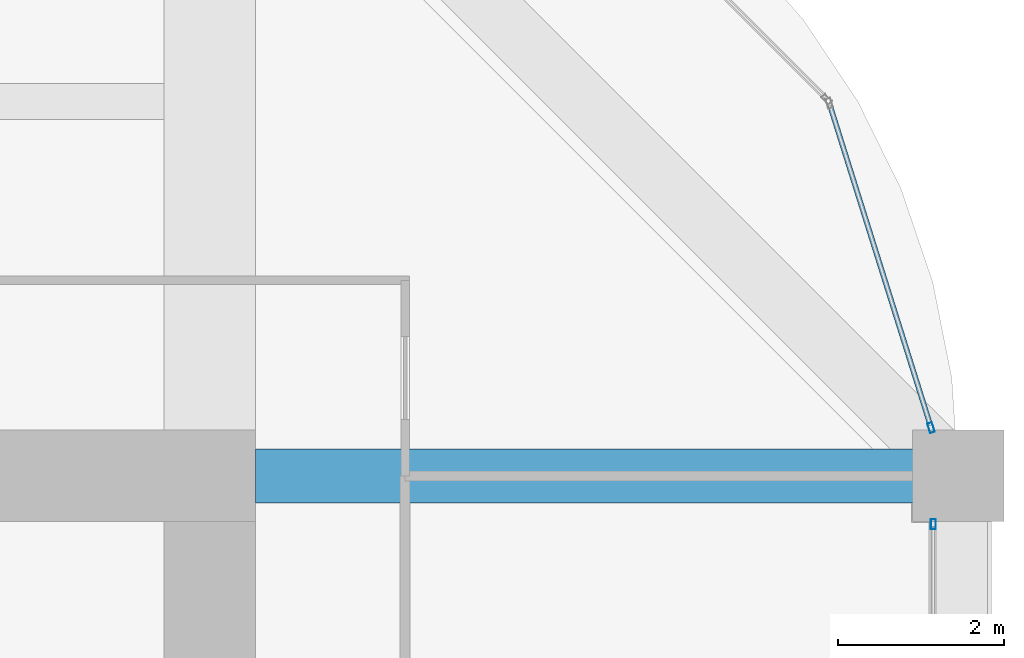
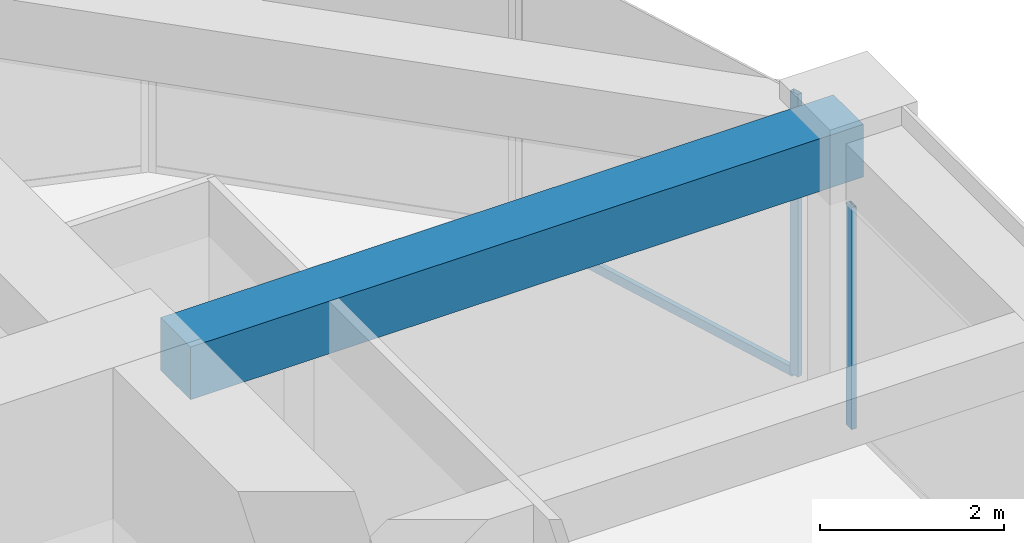
# One storey, part 36 of 44: 3 members, 1 beam, 2 elements without a shape of their own.
"""IFC4 building model written with IfcOpenShell, lengths in metres."""

from ifc_helpers import new_model, si_unit, direction, frame, origin, origin_2d, place, context, subcontext, project, spatial, rectangle, hollow_rectangle, extrude, material, material_profile, profile_set, type_object, element, aggregate, save


model = new_model("IFC4")

# Units and contexts
model_context = context("Model", 3, precision=1e-05, world=origin(), true_north=direction((0.0, 1.0)))
body_context = subcontext(model_context, "Body", "Model", "MODEL_VIEW")
ifc_project = project(units=[si_unit("LENGTHUNIT", "METRE"), si_unit("AREAUNIT", "SQUARE_METRE"), si_unit("VOLUMEUNIT", "CUBIC_METRE"), si_unit("PLANEANGLEUNIT", "RADIAN"), si_unit("MASSUNIT", "GRAM", prefix="KILO")], contexts=[model_context])

# Site, building, storey
site_placement = place(None, origin())
site = spatial("IfcSite", under=ifc_project, at=site_placement, CompositionType="ELEMENT")
building_placement = place(site_placement, origin())
building = spatial("IfcBuilding", under=site, at=building_placement, Name="Zorevar Civic Tower", CompositionType="ELEMENT")
storey_placement = place(building_placement, frame((0.0, 0.0, 275.39990234375)))
storey = spatial("IfcBuildingStorey", under=building, at=storey_placement, Name="L67", CompositionType="ELEMENT", Elevation=275.39990234375)

# Beam
ifc_material_1 = material(Name="Concrete C50/60", Category="concrete")
ifc_material_profile_1 = material_profile(ifc_material_1, rectangle(XDim=0.64990234375, YDim=0.699951171875, at=origin_2d()), Name="RC 650x700")
ifc_profile_set_1 = profile_set([ifc_material_profile_1], Name="Concrete C50/60")
beam_type = type_object("IfcBeamType", Name="Beam RC 650x700", PredefinedType="BEAM", material=ifc_profile_set_1)
beam_placement = place(storey_placement, frame((45.550048828125, 36.0, 3.400146484375), z_axis=(1.0, 0.0, 0.0), x_axis=(0.0, 1.0, 0.0)))
element("IfcBeam", 1, at=beam_placement, inside=storey, type_object=beam_type, Name="Girder L68", PredefinedType="BEAM", context=body_context, shape_type="SweptSolid", body=[
    extrude(rectangle(XDim=0.64990234375, YDim=0.699951171875, at=origin_2d()), origin(), (0.0, 0.0, 1.0), 8.449951171875),
])

# Curtain wall, member
ifc_material_2 = material(Name="Dark grey solar-control glass in black aluminium frame", Category="aluminium")
curtain_wall_type = type_object("IfcCurtainWallType", Name="Curtain wall CW5 top zone", PredefinedType="NOTDEFINED", material=ifc_material_2)
curtain_wall_1_placement = place(storey_placement, origin())
curtain_wall_1 = element("IfcCurtainWall", 2, at=curtain_wall_1_placement, inside=storey, type_object=curtain_wall_type, Name="CW5 L67", PredefinedType="NOTDEFINED")
ifc_material_3 = material(Name="Aluminium, black anodised", Category="aluminium")
ifc_material_profile_2 = material_profile(ifc_material_3, hollow_rectangle(XDim=0.06005859375, YDim=0.1201171875, WallThickness=0.0029296875, at=origin_2d()), Name="AL 120x60x3")
ifc_profile_set_2 = profile_set([ifc_material_profile_2], Name="Aluminium, black anodised")
member_type_1 = type_object("IfcMemberType", Name="CW5 mullion AL 120x60x3", PredefinedType="MULLION", material=ifc_profile_set_2)
member_1_placement = place(storey_placement, frame((53.699951171875, 35.419921875, 0.0), z_axis=(0.0, 0.0, 1.0), x_axis=(-1.0, 0.0, 0.0)))
member_1 = element("IfcMember", 3, at=member_1_placement, type_object=member_type_1, Name="CW5 mullion 3", PredefinedType="MULLION", context=body_context, shape_type="SweptSolid", body=[
    extrude(hollow_rectangle(XDim=0.06005859375, YDim=0.1201171875, WallThickness=0.0029296875, at=origin_2d()), origin(), (0.0, 0.0, 1.0), 2.9501953125),
])
aggregate(curtain_wall_1, [member_1])

# Curtain wall, members
curtain_wall_2_placement = place(storey_placement, origin())
curtain_wall_2 = element("IfcCurtainWall", 4, at=curtain_wall_2_placement, inside=storey, type_object=curtain_wall_type, Name="CW5 L67", PredefinedType="NOTDEFINED")
member_2_placement = place(storey_placement, frame((53.673583984375, 36.57861328125, 0.0), z_axis=(0.0, 0.0, 1.0), x_axis=(-0.954153437674, -0.299317920238, 0.0)))
member_2 = element("IfcMember", 5, at=member_2_placement, type_object=member_type_1, Name="CW5 mullion 1", PredefinedType="MULLION", context=body_context, shape_type="SweptSolid", body=[
    extrude(hollow_rectangle(XDim=0.06005859375, YDim=0.1201171875, WallThickness=0.0029296875, at=origin_2d()), origin(), (0.0, 0.0, 1.0), 3.75),
])
ifc_material_4 = material(Name="Aluminium, black anodised", Category="aluminium")
ifc_material_profile_3 = material_profile(ifc_material_4, hollow_rectangle(XDim=0.06005859375, YDim=0.1201171875, WallThickness=0.0029296875, at=origin_2d()), Name="AL 120x60x3")
ifc_profile_set_3 = profile_set([ifc_material_profile_3], Name="Aluminium, black anodised")
member_type_2 = type_object("IfcMemberType", Name="CW5 transom AL 120x60x3", PredefinedType="USERDEFINED", material=ifc_profile_set_3)
member_3_placement = place(storey_placement, frame((53.66455078125, 36.607177734375, 0.030029296875), z_axis=(-0.299285978047, 0.954163457351, 0.0), x_axis=(-0.954163457351, -0.299285978047, 0.0)))
member_3 = element("IfcMember", 6, at=member_3_placement, type_object=member_type_2, Name="CW5 sill transom", ObjectType="TRANSOM", PredefinedType="USERDEFINED", context=body_context, shape_type="SweptSolid", body=[
    extrude(hollow_rectangle(XDim=0.06005859375, YDim=0.1201171875, WallThickness=0.0029296875, at=origin_2d()), origin(), (0.0, 0.0, 1.0), 4.028076171875),
])
aggregate(curtain_wall_2, [member_2, member_3])

save(model, "model.ifc")
